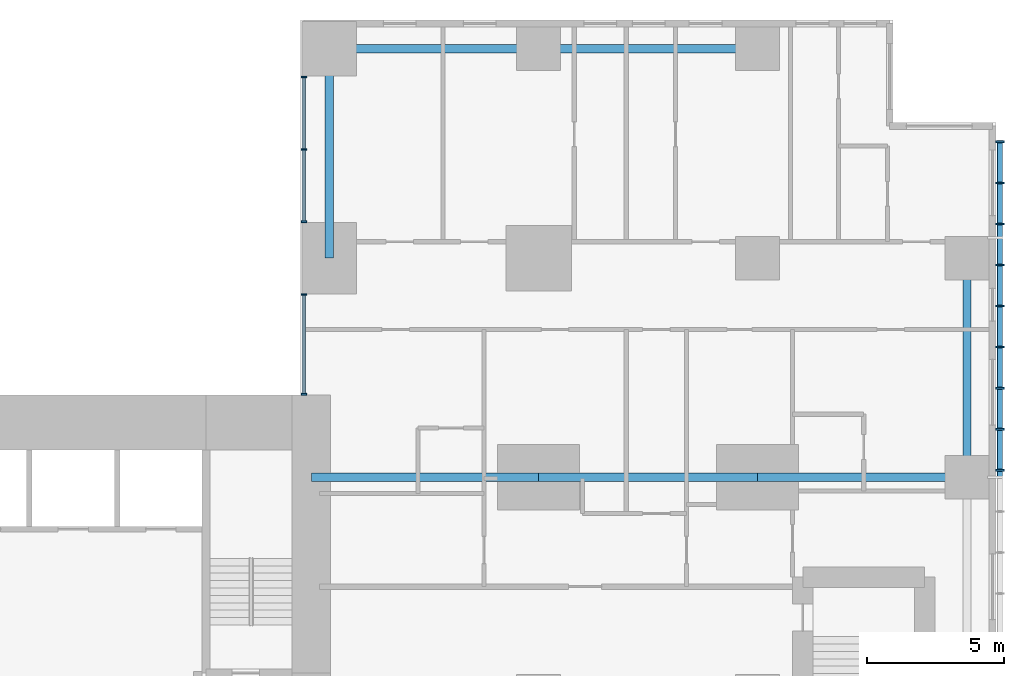
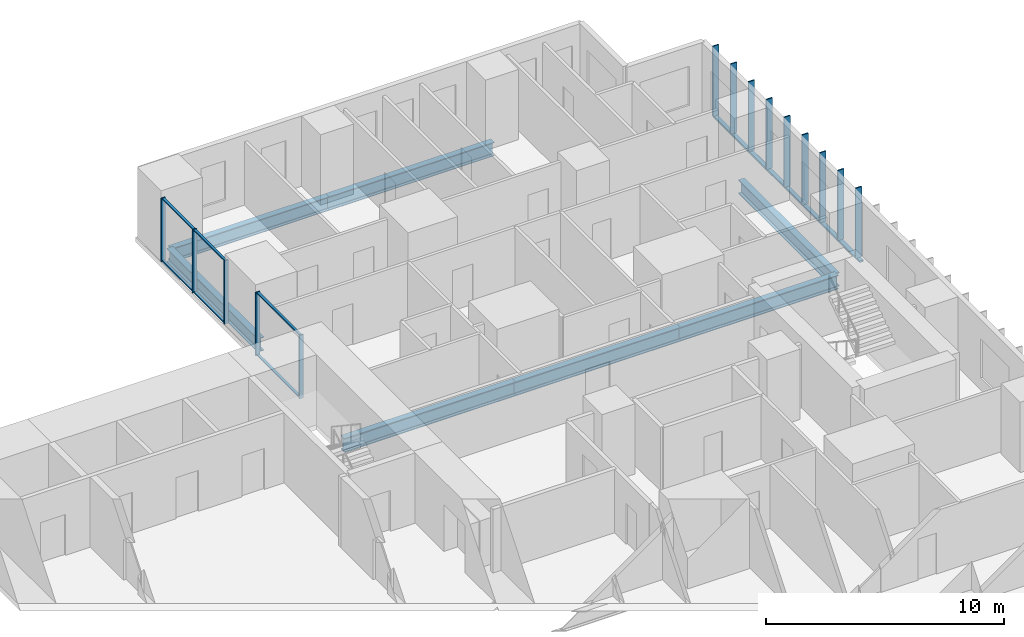
# One storey, part 3 of 12: 21 members, 7 beams, 2 elements without a shape of their own.
"""IFC4 building model written with IfcOpenShell, lengths in metres."""

from ifc_helpers import new_model, si_unit, direction, frame, origin, origin_2d, place, context, subcontext, project, spatial, rectangle, hollow_rectangle, i_section, extrude, material, layer, layer_set, material_profile, profile_set, type_object, element, aggregate, save


model = new_model("IFC4")

# Units and contexts
model_context = context("Model", 3, precision=1e-05, world=origin(), true_north=direction((0.0, 1.0)))
body_context = subcontext(model_context, "Body", "Model", "MODEL_VIEW")
ifc_project = project(units=[si_unit("LENGTHUNIT", "METRE"), si_unit("AREAUNIT", "SQUARE_METRE"), si_unit("VOLUMEUNIT", "CUBIC_METRE"), si_unit("PLANEANGLEUNIT", "RADIAN"), si_unit("MASSUNIT", "GRAM", prefix="KILO")], contexts=[model_context])

# Site, building, storey
site_placement = place(None, origin())
site = spatial("IfcSite", under=ifc_project, at=site_placement, CompositionType="ELEMENT")
building_placement = place(site_placement, origin())
building = spatial("IfcBuilding", under=site, at=building_placement, Name="Cleftline Residences", CompositionType="ELEMENT")
storey_placement = place(building_placement, frame((0.0, 0.0, 273.60009765625)))
storey = spatial("IfcBuildingStorey", under=building, at=storey_placement, Name="L72", CompositionType="ELEMENT", Elevation=273.60009765625)

# Member
ifc_material_1 = material(Name="Steel S355, hot-dip galvanised", Category="steel")
ifc_material_profile_1 = material_profile(ifc_material_1, hollow_rectangle(XDim=0.10009765625, YDim=0.199951171875, WallThickness=0.008056640625, InnerFilletRadius=0.008056640625, OuterFilletRadius=0.011962890625, at=origin_2d()))
ifc_profile_set_1 = profile_set([ifc_material_profile_1], Name="Steel S355, hot-dip galvanised")
member_type_1 = type_object("IfcMemberType", Name="BAGUETTE CARRIER RHS 200X100X8", PredefinedType="USERDEFINED", material=ifc_profile_set_1)
member_1_placement = place(storey_placement, frame((66.85009765625, 32.0, -0.050048828125), z_axis=(0.0, 1.0, 0.0), x_axis=(0.0, 0.0, 1.0)))
element("IfcMember", 1, at=member_1_placement, inside=storey, type_object=member_type_1, Name="Baguette carrier", ObjectType="BAGUETTE CARRIER", PredefinedType="USERDEFINED", context=body_context, shape_type="SweptSolid", body=[
    extrude(hollow_rectangle(XDim=0.10009765625, YDim=0.199951171875, WallThickness=0.008056640625, InnerFilletRadius=0.008056640625, OuterFilletRadius=0.011962890625, at=origin_2d()), origin(), (0.0, 0.0, 1.0), 12.300048828125),
])

# Beams
ifc_material_2 = material(Name="Steel S355", Category="steel")
ifc_material_profile_2 = material_profile(ifc_material_2, i_section(OverallWidth=0.300048828125, OverallDepth=0.699951171875, WebThickness=0.01708984375, FlangeThickness=0.031982421875, FilletRadius=0.027099609375, at=origin_2d()))
ifc_profile_set_2 = profile_set([ifc_material_profile_2], Name="Steel S355")
beam_type_1 = type_object("IfcBeamType", Name="BEAM HEB 700", PredefinedType="BEAM", material=ifc_profile_set_2)
for number, where, z_axis, x_axis, name in (
    (2, (65.64990234375, 32.0, -0.60009765625), (0.0, 1.0, 0.0), (-1.0, 0.0, 0.0), "Edge beam"),
    (3, (58.0, 47.64990234375, -0.60009765625), (-1.0, 0.0, 0.0), (0.0, -1.0, 0.0), "Edge beam"),
):
    element("IfcBeam", number, at=place(storey_placement, frame(where, z_axis=z_axis, x_axis=x_axis)), inside=storey, type_object=beam_type_1, Name=name, PredefinedType="BEAM", context=body_context, shape_type="SweptSolid", body=[
        extrude(i_section(OverallWidth=0.300048828125, OverallDepth=0.699951171875, WebThickness=0.01708984375, FlangeThickness=0.031982421875, FilletRadius=0.027099609375, at=origin_2d()), origin(), (0.0, 0.0, 1.0), 8.0),
    ])
for number, where, z_axis, x_axis, name in (
    (4, (50.0, 47.64990234375, -0.60009765625), (-1.0, 0.0, 0.0), (0.0, -1.0, 0.0), "Edge beam"),
    (5, (42.35009765625, 47.64990234375, -0.60009765625), (0.0, -1.0, 0.0), (1.0, 0.0, 0.0), "Edge beam"),
):
    element("IfcBeam", number, at=place(storey_placement, frame(where, z_axis=z_axis, x_axis=x_axis)), inside=storey, type_object=beam_type_1, Name=name, PredefinedType="BEAM", context=body_context, shape_type="SweptSolid", body=[
        extrude(i_section(OverallWidth=0.300048828125, OverallDepth=0.699951171875, WebThickness=0.01708984375, FlangeThickness=0.031982421875, FilletRadius=0.027099609375, at=origin_2d()), origin(), (0.0, 0.0, 1.0), 7.64990234375),
    ])
ifc_material_3 = material(Name="Steel S355", Category="steel")
ifc_material_profile_3 = material_profile(ifc_material_3, i_section(OverallWidth=0.303955078125, OverallDepth=0.716064453125, WebThickness=0.02099609375, FlangeThickness=0.0400390625, FilletRadius=0.027099609375, at=origin_2d()))
ifc_profile_set_3 = profile_set([ifc_material_profile_3], Name="Steel S355")
beam_type_2 = type_object("IfcBeamType", Name="BEAM HEM 700", PredefinedType="BEAM", material=ifc_profile_set_3)
beam_1_placement = place(storey_placement, frame((65.64990234375, 32.0, -0.608154296875), z_axis=(-1.0, 0.0, 0.0), x_axis=(0.0, -1.0, 0.0)))
element("IfcBeam", 6, at=beam_1_placement, inside=storey, type_object=beam_type_2, Name="Band beam", PredefinedType="BEAM", context=body_context, shape_type="SweptSolid", body=[
    extrude(i_section(OverallWidth=0.303955078125, OverallDepth=0.716064453125, WebThickness=0.02099609375, FlangeThickness=0.0400390625, FilletRadius=0.027099609375, at=origin_2d()), origin(), (0.0, 0.0, 1.0), 7.64990234375),
])
beam_2_placement = place(storey_placement, frame((58.0, 32.0, -0.608154296875), z_axis=(-1.0, 0.0, 0.0), x_axis=(0.0, -1.0, 0.0)))
element("IfcBeam", 7, at=beam_2_placement, inside=storey, type_object=beam_type_2, Name="Band beam", PredefinedType="BEAM", context=body_context, shape_type="SweptSolid", body=[
    extrude(i_section(OverallWidth=0.303955078125, OverallDepth=0.716064453125, WebThickness=0.02099609375, FlangeThickness=0.0400390625, FilletRadius=0.027099609375, at=origin_2d()), origin(), (0.0, 0.0, 1.0), 8.0),
])
beam_3_placement = place(storey_placement, frame((50.0, 32.0, -0.608154296875), z_axis=(-1.0, 0.0, 0.0), x_axis=(0.0, -1.0, 0.0)))
element("IfcBeam", 8, at=beam_3_placement, inside=storey, type_object=beam_type_2, Name="Band beam", PredefinedType="BEAM", context=body_context, shape_type="SweptSolid", body=[
    extrude(i_section(OverallWidth=0.303955078125, OverallDepth=0.716064453125, WebThickness=0.02099609375, FlangeThickness=0.0400390625, FilletRadius=0.027099609375, at=origin_2d()), origin(), (0.0, 0.0, 1.0), 8.300048828125),
])

# Curtain wall, members
ifc_material_4 = material(Name="Aluminium framed curtain wall", Category="aluminium")
ifc_layer = layer(ifc_material_4, 0.199951171875)
ifc_layer_set = layer_set([ifc_layer], Name="CW1 CLEFT GLAZING")
curtain_wall_type = type_object("IfcCurtainWallType", Name="CW1 CLEFT GLAZING", PredefinedType="NOTDEFINED", material=ifc_layer_set)
curtain_wall_1_placement = place(storey_placement, origin())
curtain_wall_1 = element("IfcCurtainWall", 9, at=curtain_wall_1_placement, inside=storey, type_object=curtain_wall_type, Name="Curtain wall CW1", PredefinedType="NOTDEFINED")
ifc_material_5 = material(Name="Aluminium mullion", Category="aluminium")
ifc_material_profile_4 = material_profile(ifc_material_5, rectangle(XDim=0.199951171875, YDim=0.06005859375, at=origin_2d()))
ifc_profile_set_4 = profile_set([ifc_material_profile_4], Name="Aluminium mullion")
member_type_2 = type_object("IfcMemberType", Name="CW1 MULLION", PredefinedType="MULLION", material=ifc_profile_set_4)
member_2_placement = place(storey_placement, frame((41.425048828125, 46.6201171875, 0.0), z_axis=(0.0, 0.0, 1.0), x_axis=(1.0, 0.0, 0.0)))
member_2 = element("IfcMember", 10, at=member_2_placement, type_object=member_type_2, Name="CW1 mullion 1", PredefinedType="MULLION", context=body_context, shape_type="SweptSolid", body=[
    extrude(rectangle(XDim=0.199951171875, YDim=0.06005859375, at=origin_2d()), origin(), (0.0, 0.0, 1.0), 3.25),
])
member_3_placement = place(storey_placement, frame((41.425048828125, 43.97509765625, 0.0), z_axis=(0.0, 0.0, 1.0), x_axis=(1.0, 0.0, 0.0)))
member_3 = element("IfcMember", 11, at=member_3_placement, type_object=member_type_2, Name="CW1 mullion 2", PredefinedType="MULLION", context=body_context, shape_type="SweptSolid", body=[
    extrude(rectangle(XDim=0.199951171875, YDim=0.06005859375, at=origin_2d()), origin(), (0.0, 0.0, 1.0), 3.25),
])
member_4_placement = place(storey_placement, frame((41.425048828125, 41.330078125, 0.0), z_axis=(0.0, 0.0, 1.0), x_axis=(1.0, 0.0, 0.0)))
member_4 = element("IfcMember", 12, at=member_4_placement, type_object=member_type_2, Name="CW1 mullion 3", PredefinedType="MULLION", context=body_context, shape_type="SweptSolid", body=[
    extrude(rectangle(XDim=0.199951171875, YDim=0.06005859375, at=origin_2d()), origin(), (0.0, 0.0, 1.0), 3.25),
])

curtain_wall_2_placement = place(storey_placement, origin())
curtain_wall_2 = element("IfcCurtainWall", 13, at=curtain_wall_2_placement, inside=storey, type_object=curtain_wall_type, Name="Curtain wall CW1", PredefinedType="NOTDEFINED")
member_5_placement = place(storey_placement, frame((41.425048828125, 38.669921875, 0.0), z_axis=(0.0, 0.0, 1.0), x_axis=(1.0, 0.0, 0.0)))
member_5 = element("IfcMember", 14, at=member_5_placement, type_object=member_type_2, Name="CW1 mullion 1", PredefinedType="MULLION", context=body_context, shape_type="SweptSolid", body=[
    extrude(rectangle(XDim=0.199951171875, YDim=0.06005859375, at=origin_2d()), origin(), (0.0, 0.0, 1.0), 3.25),
])
member_6_placement = place(storey_placement, frame((41.425048828125, 35.030029296875, 0.0), z_axis=(0.0, 0.0, 1.0), x_axis=(1.0, 0.0, 0.0)))
member_6 = element("IfcMember", 15, at=member_6_placement, type_object=member_type_2, Name="CW1 mullion 2", PredefinedType="MULLION", context=body_context, shape_type="SweptSolid", body=[
    extrude(rectangle(XDim=0.199951171875, YDim=0.06005859375, at=origin_2d()), origin(), (0.0, 0.0, 1.0), 3.25),
])

# Member
ifc_material_6 = material(Name="Aluminium transom", Category="aluminium")
ifc_material_profile_5 = material_profile(ifc_material_6, rectangle(XDim=0.1201171875, YDim=0.06005859375, at=origin_2d()))
ifc_profile_set_5 = profile_set([ifc_material_profile_5], Name="Aluminium transom")
member_type_3 = type_object("IfcMemberType", Name="CW1 TRANSOM", PredefinedType="USERDEFINED", material=ifc_profile_set_5)
member_7_placement = place(storey_placement, frame((41.425048828125, 46.590087890625, 0.02978515625), z_axis=(0.0, -1.0, 0.0), x_axis=(1.0, 0.0, 0.0)))
member_7 = element("IfcMember", 16, at=member_7_placement, type_object=member_type_3, Name="CW1 transom 1.1", ObjectType="TRANSOM", PredefinedType="USERDEFINED", context=body_context, shape_type="SweptSolid", body=[
    extrude(rectangle(XDim=0.1201171875, YDim=0.06005859375, at=origin_2d()), origin(), (0.0, 0.0, 1.0), 2.585205078125),
])

member_8_placement = place(storey_placement, frame((41.425048828125, 46.590087890625, 3.219970703125), z_axis=(0.0, -1.0, 0.0), x_axis=(1.0, 0.0, 0.0)))
member_8 = element("IfcMember", 17, at=member_8_placement, type_object=member_type_3, Name="CW1 transom 1.2", ObjectType="TRANSOM", PredefinedType="USERDEFINED", context=body_context, shape_type="SweptSolid", body=[
    extrude(rectangle(XDim=0.1201171875, YDim=0.06005859375, at=origin_2d()), origin(), (0.0, 0.0, 1.0), 2.585205078125),
])

member_9_placement = place(storey_placement, frame((41.425048828125, 43.945068359375, 0.02978515625), z_axis=(0.0, -1.0, 0.0), x_axis=(1.0, 0.0, 0.0)))
member_9 = element("IfcMember", 18, at=member_9_placement, type_object=member_type_3, Name="CW1 transom 2.1", ObjectType="TRANSOM", PredefinedType="USERDEFINED", context=body_context, shape_type="SweptSolid", body=[
    extrude(rectangle(XDim=0.1201171875, YDim=0.06005859375, at=origin_2d()), origin(), (0.0, 0.0, 1.0), 2.5849609375),
])

member_10_placement = place(storey_placement, frame((41.425048828125, 43.945068359375, 3.219970703125), z_axis=(0.0, -1.0, 0.0), x_axis=(1.0, 0.0, 0.0)))
member_10 = element("IfcMember", 19, at=member_10_placement, type_object=member_type_3, Name="CW1 transom 2.2", ObjectType="TRANSOM", PredefinedType="USERDEFINED", context=body_context, shape_type="SweptSolid", body=[
    extrude(rectangle(XDim=0.1201171875, YDim=0.06005859375, at=origin_2d()), origin(), (0.0, 0.0, 1.0), 2.5849609375),
])

aggregate(curtain_wall_1, [member_2, member_3, member_4, member_7, member_8, member_9, member_10])

member_11_placement = place(storey_placement, frame((41.425048828125, 38.639892578125, 0.02978515625), z_axis=(0.0, -1.0, 0.0), x_axis=(1.0, 0.0, 0.0)))
member_11 = element("IfcMember", 20, at=member_11_placement, type_object=member_type_3, Name="CW1 transom 1.1", ObjectType="TRANSOM", PredefinedType="USERDEFINED", context=body_context, shape_type="SweptSolid", body=[
    extrude(rectangle(XDim=0.1201171875, YDim=0.06005859375, at=origin_2d()), origin(), (0.0, 0.0, 1.0), 3.579833984375),
])

member_12_placement = place(storey_placement, frame((41.425048828125, 38.639892578125, 3.219970703125), z_axis=(0.0, -1.0, 0.0), x_axis=(1.0, 0.0, 0.0)))
member_12 = element("IfcMember", 21, at=member_12_placement, type_object=member_type_3, Name="CW1 transom 1.2", ObjectType="TRANSOM", PredefinedType="USERDEFINED", context=body_context, shape_type="SweptSolid", body=[
    extrude(rectangle(XDim=0.1201171875, YDim=0.06005859375, at=origin_2d()), origin(), (0.0, 0.0, 1.0), 3.579833984375),
])

aggregate(curtain_wall_2, [member_5, member_6, member_11, member_12])

# Members
ifc_material_7 = material(Name="Extruded terracotta", Category="masonry")
ifc_material_profile_6 = material_profile(ifc_material_7, rectangle(XDim=0.06005859375, YDim=0.300048828125, at=origin_2d()))
ifc_profile_set_6 = profile_set([ifc_material_profile_6], Name="Extruded terracotta")
member_type_4 = type_object("IfcMemberType", Name="TERRACOTTA BAGUETTE 60X300", PredefinedType="USERDEFINED", material=ifc_profile_set_6)
for number, where, z_axis, x_axis, name in (
    (22, (66.85009765625, 32.25, 0.0), (0.0, 0.0, 1.0), (0.0, 1.0, 0.0), "Terracotta baguette"),
    (23, (66.85009765625, 33.75, 0.0), (0.0, 0.0, 1.0), (0.0, 1.0, 0.0), "Terracotta baguette"),
    (24, (66.85009765625, 35.25, 0.0), (0.0, 0.0, 1.0), (0.0, 1.0, 0.0), "Terracotta baguette"),
    (25, (66.85009765625, 36.75, 0.0), (0.0, 0.0, 1.0), (0.0, 1.0, 0.0), "Terracotta baguette"),
    (26, (66.85009765625, 38.25, 0.0), (0.0, 0.0, 1.0), (0.0, 1.0, 0.0), "Terracotta baguette"),
    (27, (66.85009765625, 39.75, 0.0), (0.0, 0.0, 1.0), (0.0, 1.0, 0.0), "Terracotta baguette"),
    (28, (66.85009765625, 41.25, 0.0), (0.0, 0.0, 1.0), (0.0, 1.0, 0.0), "Terracotta baguette"),
    (29, (66.85009765625, 42.75, 0.0), (0.0, 0.0, 1.0), (0.0, 1.0, 0.0), "Terracotta baguette"),
    (30, (66.85009765625, 44.25, 0.0), (0.0, 0.0, 1.0), (0.0, 1.0, 0.0), "Terracotta baguette"),
):
    element("IfcMember", number, at=place(storey_placement, frame(where, z_axis=z_axis, x_axis=x_axis)), inside=storey, type_object=member_type_4, Name=name, ObjectType="BAGUETTE", PredefinedType="USERDEFINED", context=body_context, shape_type="SweptSolid", body=[
        extrude(rectangle(XDim=0.06005859375, YDim=0.300048828125, at=origin_2d()), origin(), (0.0, 0.0, 1.0), 3.599853515625),
    ])

save(model, "model.ifc")
